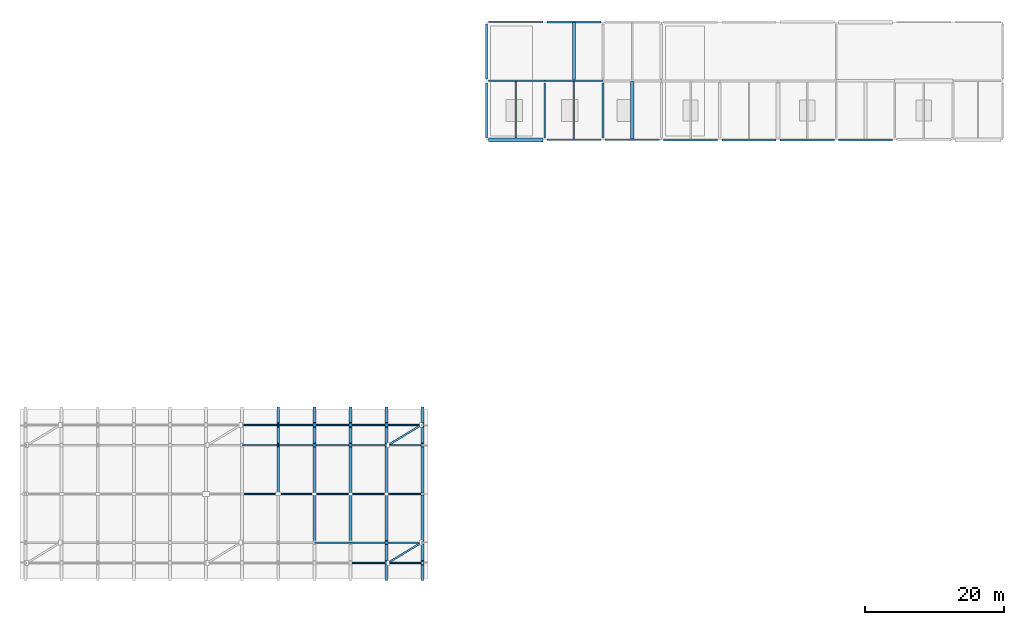
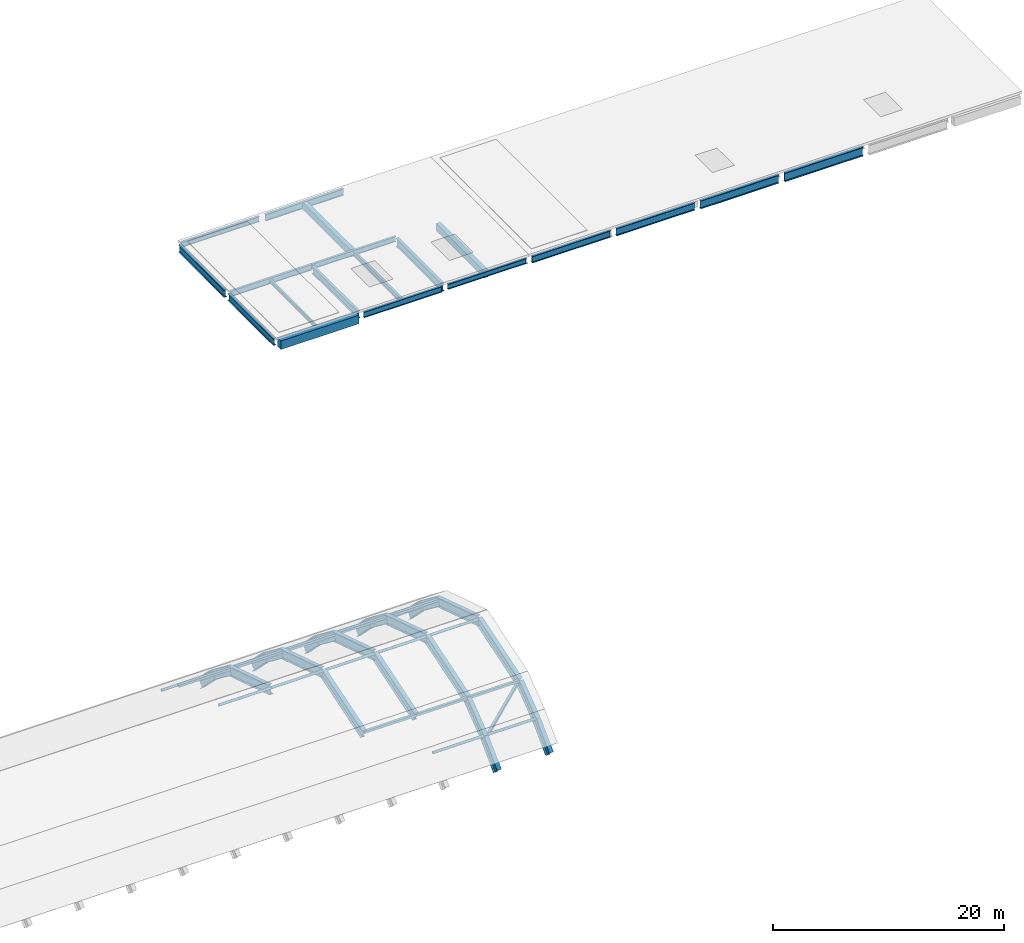
# One storey, part 2 of 6: 42 beams, 22 members.
"""IFC4 building model written with IfcOpenShell, lengths in metres."""

from ifc_helpers import new_model, si_unit, direction, frame, origin, origin_2d, place, context, subcontext, project, spatial, rectangle, hollow_rectangle, hollow_circle, i_section, extrude, material, material_profile, profile_set, type_object, element, save


model = new_model("IFC4")

# Units and contexts
model_context = context("Model", 3, precision=1e-05, world=origin(), true_north=direction((0.0, 1.0)))
body_context = subcontext(model_context, "Body", "Model", "MODEL_VIEW")
ifc_project = project(units=[si_unit("LENGTHUNIT", "METRE"), si_unit("AREAUNIT", "SQUARE_METRE"), si_unit("VOLUMEUNIT", "CUBIC_METRE"), si_unit("PLANEANGLEUNIT", "RADIAN"), si_unit("MASSUNIT", "GRAM", prefix="KILO")], contexts=[model_context])

# Site, building, storey
site_placement = place(None, origin())
site = spatial("IfcSite", under=ifc_project, at=site_placement, CompositionType="ELEMENT")
building_placement = place(site_placement, origin())
building = spatial("IfcBuilding", under=site, at=building_placement, Name="Solvento Point Concert Hall", CompositionType="ELEMENT")
storey_placement = place(building_placement, frame((0.0, 0.0, 27.89990234375)))
storey = spatial("IfcBuildingStorey", under=building, at=storey_placement, Name="RF", CompositionType="ELEMENT", Elevation=27.89990234375)

# Beams
ifc_material_1 = material(Name="Structural Steel ASTM A992 Grade 50", Category="steel")
ifc_material_profile_1 = material_profile(ifc_material_1, i_section(OverallWidth=0.423095703125, OverallDepth=0.947998046875, WebThickness=0.02392578125, FlangeThickness=0.042724609375, at=origin_2d()), Name="W36X302")
ifc_profile_set_1 = profile_set([ifc_material_profile_1], Name="Structural Steel ASTM A992 Grade 50")
beam_type_1 = type_object("IfcBeamType", Name="ArchRib_W36X302", PredefinedType="BEAM", material=ifc_profile_set_1)
beam_1_placement = place(storey_placement, frame((111.60009765625, 68.0, 4.35009765625), z_axis=(0.0, 0.952959714751, -0.303096984582), x_axis=(-1.0, 0.0, 0.0)))
element("IfcBeam", 1, at=beam_1_placement, inside=storey, type_object=beam_type_1, Name="Steel arch rib AR-01 bay 8 seg 7", PredefinedType="BEAM", context=body_context, shape_type="SweptSolid", body=[
    extrude(i_section(OverallWidth=0.423095703125, OverallDepth=0.947998046875, WebThickness=0.02392578125, FlangeThickness=0.042724609375, at=origin_2d()), origin(), (0.0, 0.0, 1.0), 7.36865234375),
])
beam_2_placement = place(storey_placement, frame((111.60009765625, 75.02197265625, 2.11669921875), z_axis=(0.0, 0.793133559285, -0.609047746188), x_axis=(-1.0, 0.0, 0.0)))
element("IfcBeam", 2, at=beam_2_placement, inside=storey, type_object=beam_type_1, Name="Steel arch rib AR-01 bay 8 seg 8", PredefinedType="BEAM", context=body_context, shape_type="SweptSolid", body=[
    extrude(i_section(OverallWidth=0.423095703125, OverallDepth=0.947998046875, WebThickness=0.02392578125, FlangeThickness=0.042724609375, at=origin_2d()), origin(), (0.0, 0.0, 1.0), 3.6669921875),
])
beam_3_placement = place(storey_placement, frame((111.60009765625, 77.930419921875, -0.11669921875), z_axis=(0.0, 0.706874752729, -0.707338733532), x_axis=(-1.0, 0.0, 0.0)))
element("IfcBeam", 3, at=beam_3_placement, inside=storey, type_object=beam_type_1, Name="Steel arch rib AR-01 bay 8 seg 9", PredefinedType="BEAM", context=body_context, shape_type="SweptSolid", body=[
    extrude(i_section(OverallWidth=0.423095703125, OverallDepth=0.947998046875, WebThickness=0.02392578125, FlangeThickness=0.042724609375, at=origin_2d()), origin(), (0.0, 0.0, 1.0), 3.1572265625),
])
for number, where, z_axis, x_axis, name in (
    (4, (116.800048828125, 60.97802734375, 2.11669921875), (0.0, 0.952959714751, 0.303096984582), (-1.0, 0.0, 0.0), "Steel arch rib AR-01 bay 9 seg 6"),
    (5, (116.800048828125, 68.0, 4.35009765625), (0.0, 0.952959714751, -0.303096984582), (-1.0, 0.0, 0.0), "Steel arch rib AR-01 bay 9 seg 7"),
):
    element("IfcBeam", number, at=place(storey_placement, frame(where, z_axis=z_axis, x_axis=x_axis)), inside=storey, type_object=beam_type_1, Name=name, PredefinedType="BEAM", context=body_context, shape_type="SweptSolid", body=[
        extrude(i_section(OverallWidth=0.423095703125, OverallDepth=0.947998046875, WebThickness=0.02392578125, FlangeThickness=0.042724609375, at=origin_2d()), origin(), (0.0, 0.0, 1.0), 7.36865234375),
    ])
beam_4_placement = place(storey_placement, frame((116.800048828125, 75.02197265625, 2.11669921875), z_axis=(0.0, 0.793133559285, -0.609047746188), x_axis=(-1.0, 0.0, 0.0)))
element("IfcBeam", 6, at=beam_4_placement, inside=storey, type_object=beam_type_1, Name="Steel arch rib AR-01 bay 9 seg 8", PredefinedType="BEAM", context=body_context, shape_type="SweptSolid", body=[
    extrude(i_section(OverallWidth=0.423095703125, OverallDepth=0.947998046875, WebThickness=0.02392578125, FlangeThickness=0.042724609375, at=origin_2d()), origin(), (0.0, 0.0, 1.0), 3.6669921875),
])
beam_5_placement = place(storey_placement, frame((116.800048828125, 77.930419921875, -0.11669921875), z_axis=(0.0, 0.706874752729, -0.707338733532), x_axis=(-1.0, 0.0, 0.0)))
element("IfcBeam", 7, at=beam_5_placement, inside=storey, type_object=beam_type_1, Name="Steel arch rib AR-01 bay 9 seg 9", PredefinedType="BEAM", context=body_context, shape_type="SweptSolid", body=[
    extrude(i_section(OverallWidth=0.423095703125, OverallDepth=0.947998046875, WebThickness=0.02392578125, FlangeThickness=0.042724609375, at=origin_2d()), origin(), (0.0, 0.0, 1.0), 3.1572265625),
])
for number, where, z_axis, x_axis, name in (
    (8, (122.0, 60.97802734375, 2.11669921875), (0.0, 0.952959714751, 0.303096984582), (-1.0, 0.0, 0.0), "Steel arch rib AR-01 bay 10 seg 6"),
    (9, (122.0, 68.0, 4.35009765625), (0.0, 0.952959714751, -0.303096984582), (-1.0, 0.0, 0.0), "Steel arch rib AR-01 bay 10 seg 7"),
):
    element("IfcBeam", number, at=place(storey_placement, frame(where, z_axis=z_axis, x_axis=x_axis)), inside=storey, type_object=beam_type_1, Name=name, PredefinedType="BEAM", context=body_context, shape_type="SweptSolid", body=[
        extrude(i_section(OverallWidth=0.423095703125, OverallDepth=0.947998046875, WebThickness=0.02392578125, FlangeThickness=0.042724609375, at=origin_2d()), origin(), (0.0, 0.0, 1.0), 7.36865234375),
    ])
beam_6_placement = place(storey_placement, frame((122.0, 75.02197265625, 2.11669921875), z_axis=(0.0, 0.793133559285, -0.609047746188), x_axis=(-1.0, 0.0, 0.0)))
element("IfcBeam", 10, at=beam_6_placement, inside=storey, type_object=beam_type_1, Name="Steel arch rib AR-01 bay 10 seg 8", PredefinedType="BEAM", context=body_context, shape_type="SweptSolid", body=[
    extrude(i_section(OverallWidth=0.423095703125, OverallDepth=0.947998046875, WebThickness=0.02392578125, FlangeThickness=0.042724609375, at=origin_2d()), origin(), (0.0, 0.0, 1.0), 3.6669921875),
])
for number, where, z_axis, x_axis, name in (
    (11, (122.0, 77.930419921875, -0.11669921875), (0.0, 0.706874752729, -0.707338733532), (-1.0, 0.0, 0.0), "Steel arch rib AR-01 bay 10 seg 9"),
    (12, (127.199951171875, 55.837890625, -2.349853515625), (0.0, 0.706874752729, 0.707338733532), (-1.0, 0.0, 0.0), "Steel arch rib AR-01 bay 11 seg 4"),
):
    element("IfcBeam", number, at=place(storey_placement, frame(where, z_axis=z_axis, x_axis=x_axis)), inside=storey, type_object=beam_type_1, Name=name, PredefinedType="BEAM", context=body_context, shape_type="SweptSolid", body=[
        extrude(i_section(OverallWidth=0.423095703125, OverallDepth=0.947998046875, WebThickness=0.02392578125, FlangeThickness=0.042724609375, at=origin_2d()), origin(), (0.0, 0.0, 1.0), 3.1572265625),
    ])
beam_7_placement = place(storey_placement, frame((127.199951171875, 58.069580078125, -0.11669921875), z_axis=(0.0, 0.793133559285, 0.609047746188), x_axis=(-1.0, 0.0, 0.0)))
element("IfcBeam", 13, at=beam_7_placement, inside=storey, type_object=beam_type_1, Name="Steel arch rib AR-01 bay 11 seg 5", PredefinedType="BEAM", context=body_context, shape_type="SweptSolid", body=[
    extrude(i_section(OverallWidth=0.423095703125, OverallDepth=0.947998046875, WebThickness=0.02392578125, FlangeThickness=0.042724609375, at=origin_2d()), origin(), (0.0, 0.0, 1.0), 3.6669921875),
])
for number, where, z_axis, x_axis, name in (
    (14, (127.199951171875, 60.97802734375, 2.11669921875), (0.0, 0.952959714751, 0.303096984582), (-1.0, 0.0, 0.0), "Steel arch rib AR-01 bay 11 seg 6"),
    (15, (127.199951171875, 68.0, 4.35009765625), (0.0, 0.952959714751, -0.303096984582), (-1.0, 0.0, 0.0), "Steel arch rib AR-01 bay 11 seg 7"),
):
    element("IfcBeam", number, at=place(storey_placement, frame(where, z_axis=z_axis, x_axis=x_axis)), inside=storey, type_object=beam_type_1, Name=name, PredefinedType="BEAM", context=body_context, shape_type="SweptSolid", body=[
        extrude(i_section(OverallWidth=0.423095703125, OverallDepth=0.947998046875, WebThickness=0.02392578125, FlangeThickness=0.042724609375, at=origin_2d()), origin(), (0.0, 0.0, 1.0), 7.36865234375),
    ])
beam_8_placement = place(storey_placement, frame((127.199951171875, 75.02197265625, 2.11669921875), z_axis=(0.0, 0.793133559285, -0.609047746188), x_axis=(-1.0, 0.0, 0.0)))
element("IfcBeam", 16, at=beam_8_placement, inside=storey, type_object=beam_type_1, Name="Steel arch rib AR-01 bay 11 seg 8", PredefinedType="BEAM", context=body_context, shape_type="SweptSolid", body=[
    extrude(i_section(OverallWidth=0.423095703125, OverallDepth=0.947998046875, WebThickness=0.02392578125, FlangeThickness=0.042724609375, at=origin_2d()), origin(), (0.0, 0.0, 1.0), 3.6669921875),
])
for number, where, z_axis, x_axis, name in (
    (17, (127.199951171875, 77.930419921875, -0.11669921875), (0.0, 0.706874752729, -0.707338733532), (-1.0, 0.0, 0.0), "Steel arch rib AR-01 bay 11 seg 9"),
    (18, (132.39990234375, 55.837890625, -2.349853515625), (0.0, 0.706874752729, 0.707338733532), (-1.0, 0.0, 0.0), "Steel arch rib AR-01 bay 12 seg 4"),
):
    element("IfcBeam", number, at=place(storey_placement, frame(where, z_axis=z_axis, x_axis=x_axis)), inside=storey, type_object=beam_type_1, Name=name, PredefinedType="BEAM", context=body_context, shape_type="SweptSolid", body=[
        extrude(i_section(OverallWidth=0.423095703125, OverallDepth=0.947998046875, WebThickness=0.02392578125, FlangeThickness=0.042724609375, at=origin_2d()), origin(), (0.0, 0.0, 1.0), 3.1572265625),
    ])
beam_9_placement = place(storey_placement, frame((132.39990234375, 58.069580078125, -0.11669921875), z_axis=(0.0, 0.793133559285, 0.609047746188), x_axis=(-1.0, 0.0, 0.0)))
element("IfcBeam", 19, at=beam_9_placement, inside=storey, type_object=beam_type_1, Name="Steel arch rib AR-01 bay 12 seg 5", PredefinedType="BEAM", context=body_context, shape_type="SweptSolid", body=[
    extrude(i_section(OverallWidth=0.423095703125, OverallDepth=0.947998046875, WebThickness=0.02392578125, FlangeThickness=0.042724609375, at=origin_2d()), origin(), (0.0, 0.0, 1.0), 3.6669921875),
])
for number, where, z_axis, x_axis, name in (
    (20, (132.39990234375, 60.97802734375, 2.11669921875), (0.0, 0.952959714751, 0.303096984582), (-1.0, 0.0, 0.0), "Steel arch rib AR-01 bay 12 seg 6"),
    (21, (132.39990234375, 68.0, 4.35009765625), (0.0, 0.952959714751, -0.303096984582), (-1.0, 0.0, 0.0), "Steel arch rib AR-01 bay 12 seg 7"),
):
    element("IfcBeam", number, at=place(storey_placement, frame(where, z_axis=z_axis, x_axis=x_axis)), inside=storey, type_object=beam_type_1, Name=name, PredefinedType="BEAM", context=body_context, shape_type="SweptSolid", body=[
        extrude(i_section(OverallWidth=0.423095703125, OverallDepth=0.947998046875, WebThickness=0.02392578125, FlangeThickness=0.042724609375, at=origin_2d()), origin(), (0.0, 0.0, 1.0), 7.36865234375),
    ])
beam_10_placement = place(storey_placement, frame((132.39990234375, 75.02197265625, 2.11669921875), z_axis=(0.0, 0.793133559285, -0.609047746188), x_axis=(-1.0, 0.0, 0.0)))
element("IfcBeam", 22, at=beam_10_placement, inside=storey, type_object=beam_type_1, Name="Steel arch rib AR-01 bay 12 seg 8", PredefinedType="BEAM", context=body_context, shape_type="SweptSolid", body=[
    extrude(i_section(OverallWidth=0.423095703125, OverallDepth=0.947998046875, WebThickness=0.02392578125, FlangeThickness=0.042724609375, at=origin_2d()), origin(), (0.0, 0.0, 1.0), 3.6669921875),
])
beam_11_placement = place(storey_placement, frame((132.39990234375, 77.930419921875, -0.11669921875), z_axis=(0.0, 0.706874752729, -0.707338733532), x_axis=(-1.0, 0.0, 0.0)))
element("IfcBeam", 23, at=beam_11_placement, inside=storey, type_object=beam_type_1, Name="Steel arch rib AR-01 bay 12 seg 9", PredefinedType="BEAM", context=body_context, shape_type="SweptSolid", body=[
    extrude(i_section(OverallWidth=0.423095703125, OverallDepth=0.947998046875, WebThickness=0.02392578125, FlangeThickness=0.042724609375, at=origin_2d()), origin(), (0.0, 0.0, 1.0), 3.1572265625),
])
ifc_material_2 = material(Name="Concrete C35/45", Category="concrete")
ifc_material_profile_2 = material_profile(ifc_material_2, rectangle(XDim=0.449951171875, YDim=0.75, at=origin_2d()), Name="RC-BM-450X750")
ifc_profile_set_2 = profile_set([ifc_material_profile_2], Name="Concrete C35/45")
beam_type_2 = type_object("IfcBeamType", Name="Beam_RC_450x750", PredefinedType="BEAM", material=ifc_profile_set_2)
for number, where, z_axis, x_axis, name in (
    (24, (154.199951171875, 127.592041015625, -0.638916015625), (0.0, 1.0, 0.0), (-1.0, 0.0, 0.0), "Secondary floor joist B-28 RF"),
    (25, (162.60009765625, 119.092041015625, -0.638916015625), (0.0, 1.0, 0.0), (-1.0, 0.0, 0.0), "Secondary floor joist B-28 RF"),
):
    element("IfcBeam", number, at=place(storey_placement, frame(where, z_axis=z_axis, x_axis=x_axis)), inside=storey, type_object=beam_type_2, Name=name, PredefinedType="BEAM", context=body_context, shape_type="SweptSolid", body=[
        extrude(rectangle(XDim=0.449951171875, YDim=0.75, at=origin_2d()), origin(), (0.0, 0.0, 1.0), 8.294921875),
    ])
ifc_material_3 = material(Name="Structural Steel ASTM A992 Grade 50", Category="steel")
ifc_material_profile_3 = material_profile(ifc_material_3, i_section(OverallWidth=0.20947265625, OverallDepth=0.532958984375, WebThickness=0.01025390625, FlangeThickness=0.015625, at=origin_2d()), Name="W21X62")
ifc_profile_set_3 = profile_set([ifc_material_profile_3], Name="Structural Steel ASTM A992 Grade 50")
beam_type_3 = type_object("IfcBeamType", Name="Beam_W21X62", PredefinedType="BEAM", material=ifc_profile_set_3)
beam_12_placement = place(storey_placement, frame((154.199951171875, 119.09912109375, -0.530517578125), z_axis=(0.0, 1.0, 0.0), x_axis=(-1.0, 0.0, 0.0)))
element("IfcBeam", 26, at=beam_12_placement, inside=storey, type_object=beam_type_3, Name="Secondary floor joist B-25 RF", PredefinedType="BEAM", context=body_context, shape_type="SweptSolid", body=[
    extrude(i_section(OverallWidth=0.20947265625, OverallDepth=0.532958984375, WebThickness=0.01025390625, FlangeThickness=0.015625, at=origin_2d()), origin(), (0.0, 0.0, 1.0), 8.308837890625),
])
ifc_material_4 = material(Name="Structural Steel ASTM A992 Grade 50", Category="steel")
ifc_material_profile_4 = material_profile(ifc_material_4, i_section(OverallWidth=0.214111328125, OverallDepth=0.549072265625, WebThickness=0.0146484375, FlangeThickness=0.023681640625, at=origin_2d()), Name="W21X93")
ifc_profile_set_4 = profile_set([ifc_material_profile_4], Name="Structural Steel ASTM A992 Grade 50")
beam_type_4 = type_object("IfcBeamType", Name="Beam_W21X93", PredefinedType="BEAM", material=ifc_profile_set_4)
beam_13_placement = place(storey_placement, frame((158.694091796875, 119.0, -0.538330078125), z_axis=(1.0, 0.0, 0.0), x_axis=(0.0, 1.0, 0.0)))
element("IfcBeam", 27, at=beam_13_placement, inside=storey, type_object=beam_type_4, Name="Primary girder B-48 RF", PredefinedType="BEAM", context=body_context, shape_type="SweptSolid", body=[
    extrude(i_section(OverallWidth=0.214111328125, OverallDepth=0.549072265625, WebThickness=0.0146484375, FlangeThickness=0.023681640625, at=origin_2d()), origin(), (0.0, 0.0, 1.0), 7.81201171875),
])
beam_14_placement = place(storey_placement, frame((150.0, 127.5, -0.538330078125), z_axis=(1.0, 0.0, 0.0), x_axis=(0.0, 1.0, 0.0)))
element("IfcBeam", 28, at=beam_14_placement, inside=storey, type_object=beam_type_4, Name="Primary girder B-48 RF", PredefinedType="BEAM", context=body_context, shape_type="SweptSolid", body=[
    extrude(i_section(OverallWidth=0.214111328125, OverallDepth=0.549072265625, WebThickness=0.0146484375, FlangeThickness=0.023681640625, at=origin_2d()), origin(), (0.0, 0.0, 1.0), 8.39990234375),
])
beam_15_placement = place(storey_placement, frame((141.89404296875, 136.0, -0.538330078125), z_axis=(1.0, 0.0, 0.0), x_axis=(0.0, 1.0, 0.0)))
element("IfcBeam", 29, at=beam_15_placement, inside=storey, type_object=beam_type_4, Name="Primary girder B-48 RF", PredefinedType="BEAM", context=body_context, shape_type="SweptSolid", body=[
    extrude(i_section(OverallWidth=0.214111328125, OverallDepth=0.549072265625, WebThickness=0.0146484375, FlangeThickness=0.023681640625, at=origin_2d()), origin(), (0.0, 0.0, 1.0), 7.81201171875),
])
ifc_material_5 = material(Name="Structural Steel ASTM A992 Grade 50", Category="steel")
ifc_material_profile_5 = material_profile(ifc_material_5, i_section(OverallWidth=0.228515625, OverallDepth=0.60791015625, WebThickness=0.01123046875, FlangeThickness=0.017333984375, at=origin_2d()), Name="W24X76")
ifc_profile_set_5 = profile_set([ifc_material_profile_5], Name="Structural Steel ASTM A992 Grade 50")
beam_type_5 = type_object("IfcBeamType", Name="Beam_W24X76", PredefinedType="BEAM", material=ifc_profile_set_5)
beam_16_placement = place(storey_placement, frame((150.2939453125, 119.0, -0.56787109375), z_axis=(1.0, 0.0, 0.0), x_axis=(0.0, 1.0, 0.0)))
element("IfcBeam", 30, at=beam_16_placement, inside=storey, type_object=beam_type_5, Name="Primary girder B-42 RF", PredefinedType="BEAM", context=body_context, shape_type="SweptSolid", body=[
    extrude(i_section(OverallWidth=0.228515625, OverallDepth=0.60791015625, WebThickness=0.01123046875, FlangeThickness=0.017333984375, at=origin_2d()), origin(), (0.0, 0.0, 1.0), 7.81201171875),
])
beam_17_placement = place(storey_placement, frame((141.89404296875, 127.5, -0.56787109375), z_axis=(1.0, 0.0, 0.0), x_axis=(0.0, 1.0, 0.0)))
element("IfcBeam", 31, at=beam_17_placement, inside=storey, type_object=beam_type_5, Name="Primary girder B-42 RF", PredefinedType="BEAM", context=body_context, shape_type="SweptSolid", body=[
    extrude(i_section(OverallWidth=0.228515625, OverallDepth=0.60791015625, WebThickness=0.01123046875, FlangeThickness=0.017333984375, at=origin_2d()), origin(), (0.0, 0.0, 1.0), 8.10595703125),
])
ifc_material_6 = material(Name="Concrete C35/45", Category="concrete")
ifc_material_profile_6 = material_profile(ifc_material_6, rectangle(XDim=0.550048828125, YDim=0.89990234375, at=origin_2d()), Name="RC-BM-550X900")
ifc_profile_set_6 = profile_set([ifc_material_profile_6], Name="Concrete C35/45")
beam_type_6 = type_object("IfcBeamType", Name="Girder_RC_550x900", PredefinedType="USERDEFINED", material=ifc_profile_set_6)
beam_18_placement = place(storey_placement, frame((141.89404296875, 119.0, -0.7138671875), z_axis=(1.0, 0.0, 0.0), x_axis=(0.0, 1.0, 0.0)))
element("IfcBeam", 32, at=beam_18_placement, inside=storey, type_object=beam_type_6, Name="Primary girder B-39 RF", ObjectType="GIRDER", PredefinedType="USERDEFINED", context=body_context, shape_type="SweptSolid", body=[
    extrude(rectangle(XDim=0.550048828125, YDim=0.89990234375, at=origin_2d()), origin(), (0.0, 0.0, 1.0), 7.81201171875),
])
ifc_material_7 = material(Name="Structural Steel ASTM A992 Grade 50", Category="steel")
ifc_material_profile_7 = material_profile(ifc_material_7, i_section(OverallWidth=0.256103515625, OverallDepth=0.693115234375, WebThickness=0.014404296875, FlangeThickness=0.023681640625, at=origin_2d()), Name="W27X114")
ifc_profile_set_7 = profile_set([ifc_material_profile_7], Name="Structural Steel ASTM A992 Grade 50")
beam_type_7 = type_object("IfcBeamType", Name="Girder_W27X114", PredefinedType="USERDEFINED", material=ifc_profile_set_7)
for number, where, z_axis, x_axis, name in (
    (33, (167.093994140625, 119.0, -0.6103515625), (1.0, 0.0, 0.0), (0.0, 1.0, 0.0), "Primary girder B-23 RF"),
    (34, (150.2939453125, 136.0, -0.6103515625), (1.0, 0.0, 0.0), (0.0, 1.0, 0.0), "Primary girder B-23 RF"),
):
    element("IfcBeam", number, at=place(storey_placement, frame(where, z_axis=z_axis, x_axis=x_axis)), inside=storey, type_object=beam_type_7, Name=name, ObjectType="GIRDER", PredefinedType="USERDEFINED", context=body_context, shape_type="SweptSolid", body=[
        extrude(i_section(OverallWidth=0.256103515625, OverallDepth=0.693115234375, WebThickness=0.014404296875, FlangeThickness=0.023681640625, at=origin_2d()), origin(), (0.0, 0.0, 1.0), 7.81201171875),
    ])
beam_19_placement = place(storey_placement, frame((141.60009765625, 119.2939453125, -0.6103515625), z_axis=(0.0, 1.0, 0.0), x_axis=(-1.0, 0.0, 0.0)))
element("IfcBeam", 35, at=beam_19_placement, inside=storey, type_object=beam_type_7, Name="Primary girder B-23 RF", ObjectType="GIRDER", PredefinedType="USERDEFINED", context=body_context, shape_type="SweptSolid", body=[
    extrude(i_section(OverallWidth=0.256103515625, OverallDepth=0.693115234375, WebThickness=0.014404296875, FlangeThickness=0.023681640625, at=origin_2d()), origin(), (0.0, 0.0, 1.0), 7.912109375),
])
ifc_material_8 = material(Name="Structural Steel ASTM A992 Grade 50", Category="steel")
ifc_material_profile_8 = material_profile(ifc_material_8, i_section(OverallWidth=0.26806640625, OverallDepth=0.77001953125, WebThickness=0.015625, FlangeThickness=0.025390625, at=origin_2d()), Name="W30X132")
ifc_profile_set_8 = profile_set([ifc_material_profile_8], Name="Structural Steel ASTM A992 Grade 50")
beam_type_8 = type_object("IfcBeamType", Name="Girder_W30X132", PredefinedType="USERDEFINED", material=ifc_profile_set_8)
beam_20_placement = place(storey_placement, frame((175.493896484375, 119.0, -0.64892578125), z_axis=(1.0, 0.0, 0.0), x_axis=(0.0, 1.0, 0.0)))
element("IfcBeam", 36, at=beam_20_placement, inside=storey, type_object=beam_type_8, Name="Primary girder B-68 RF", ObjectType="GIRDER", PredefinedType="USERDEFINED", context=body_context, shape_type="SweptSolid", body=[
    extrude(i_section(OverallWidth=0.26806640625, OverallDepth=0.77001953125, WebThickness=0.015625, FlangeThickness=0.025390625, at=origin_2d()), origin(), (0.0, 0.0, 1.0), 7.81201171875),
])
beam_21_placement = place(storey_placement, frame((141.60009765625, 127.7939453125, -0.64892578125), z_axis=(0.0, 1.0, 0.0), x_axis=(-1.0, 0.0, 0.0)))
element("IfcBeam", 37, at=beam_21_placement, inside=storey, type_object=beam_type_8, Name="Primary girder B-68 RF", ObjectType="GIRDER", PredefinedType="USERDEFINED", context=body_context, shape_type="SweptSolid", body=[
    extrude(i_section(OverallWidth=0.26806640625, OverallDepth=0.77001953125, WebThickness=0.015625, FlangeThickness=0.025390625, at=origin_2d()), origin(), (0.0, 0.0, 1.0), 7.912109375),
])
beam_22_placement = place(storey_placement, frame((150.0, 119.2939453125, -0.64892578125), z_axis=(0.0, 1.0, 0.0), x_axis=(-1.0, 0.0, 0.0)))
element("IfcBeam", 38, at=beam_22_placement, inside=storey, type_object=beam_type_8, Name="Primary girder B-68 RF", ObjectType="GIRDER", PredefinedType="USERDEFINED", context=body_context, shape_type="SweptSolid", body=[
    extrude(i_section(OverallWidth=0.26806640625, OverallDepth=0.77001953125, WebThickness=0.015625, FlangeThickness=0.025390625, at=origin_2d()), origin(), (0.0, 0.0, 1.0), 7.906494140625),
])
ifc_material_9 = material(Name="Structural Steel ASTM A992 Grade 50", Category="steel")
ifc_material_profile_9 = material_profile(ifc_material_9, i_section(OverallWidth=0.2919921875, OverallDepth=0.85888671875, WebThickness=0.01708984375, FlangeThickness=0.031005859375, at=origin_2d()), Name="W33X169")
ifc_profile_set_9 = profile_set([ifc_material_profile_9], Name="Structural Steel ASTM A992 Grade 50")
beam_type_9 = type_object("IfcBeamType", Name="Girder_W33X169", PredefinedType="USERDEFINED", material=ifc_profile_set_9)
beam_23_placement = place(storey_placement, frame((183.89404296875, 119.0, -0.693359375), z_axis=(1.0, 0.0, 0.0), x_axis=(0.0, 1.0, 0.0)))
element("IfcBeam", 39, at=beam_23_placement, inside=storey, type_object=beam_type_9, Name="Primary girder B-33 RF", ObjectType="GIRDER", PredefinedType="USERDEFINED", context=body_context, shape_type="SweptSolid", body=[
    extrude(i_section(OverallWidth=0.2919921875, OverallDepth=0.85888671875, WebThickness=0.01708984375, FlangeThickness=0.031005859375, at=origin_2d()), origin(), (0.0, 0.0, 1.0), 7.81201171875),
])
beam_24_placement = place(storey_placement, frame((158.39990234375, 119.2939453125, -0.693359375), z_axis=(0.0, 1.0, 0.0), x_axis=(-1.0, 0.0, 0.0)))
element("IfcBeam", 40, at=beam_24_placement, inside=storey, type_object=beam_type_9, Name="Primary girder B-33 RF", ObjectType="GIRDER", PredefinedType="USERDEFINED", context=body_context, shape_type="SweptSolid", body=[
    extrude(i_section(OverallWidth=0.2919921875, OverallDepth=0.85888671875, WebThickness=0.01708984375, FlangeThickness=0.031005859375, at=origin_2d()), origin(), (0.0, 0.0, 1.0), 7.906494140625),
])
ifc_material_10 = material(Name="Structural Steel ASTM A992 Grade 50", Category="steel")
ifc_material_profile_10 = material_profile(ifc_material_10, i_section(OverallWidth=0.3076171875, OverallDepth=0.927001953125, WebThickness=0.019287109375, FlangeThickness=0.031982421875, at=origin_2d()), Name="W36X194")
ifc_profile_set_10 = profile_set([ifc_material_profile_10], Name="Structural Steel ASTM A992 Grade 50")
beam_type_10 = type_object("IfcBeamType", Name="Girder_W36X194", PredefinedType="USERDEFINED", material=ifc_profile_set_10)
beam_25_placement = place(storey_placement, frame((192.2939453125, 119.0, -0.727294921875), z_axis=(1.0, 0.0, 0.0), x_axis=(0.0, 1.0, 0.0)))
element("IfcBeam", 41, at=beam_25_placement, inside=storey, type_object=beam_type_10, Name="Primary girder B-61 RF", ObjectType="GIRDER", PredefinedType="USERDEFINED", context=body_context, shape_type="SweptSolid", body=[
    extrude(i_section(OverallWidth=0.3076171875, OverallDepth=0.927001953125, WebThickness=0.019287109375, FlangeThickness=0.031982421875, at=origin_2d()), origin(), (0.0, 0.0, 1.0), 7.81201171875),
])
ifc_material_11 = material(Name="Structural Steel ASTM A992 Grade 50", Category="steel")
ifc_material_profile_11 = material_profile(ifc_material_11, i_section(OverallWidth=0.177490234375, OverallDepth=0.403076171875, WebThickness=0.007568359375, FlangeThickness=0.010986328125, at=origin_2d()), Name="W16X36")
ifc_profile_set_11 = profile_set([ifc_material_profile_11], Name="Structural Steel ASTM A992 Grade 50")
beam_type_11 = type_object("IfcBeamType", Name="Joist_W16X36", PredefinedType="JOIST", material=ifc_profile_set_11)
beam_26_placement = place(storey_placement, frame((145.800048828125, 119.260009765625, -0.46533203125), z_axis=(0.0, 1.0, 0.0), x_axis=(-1.0, 0.0, 0.0)))
element("IfcBeam", 42, at=beam_26_placement, inside=storey, type_object=beam_type_11, Name="Secondary floor joist B-30 RF", PredefinedType="JOIST", context=body_context, shape_type="SweptSolid", body=[
    extrude(i_section(OverallWidth=0.177490234375, OverallDepth=0.403076171875, WebThickness=0.007568359375, FlangeThickness=0.010986328125, at=origin_2d()), origin(), (0.0, 0.0, 1.0), 8.140869140625),
])

# Members
ifc_material_12 = material(Name="Structural Steel ASTM A500 Grade C", Category="steel")
ifc_material_profile_12 = material_profile(ifc_material_12, hollow_rectangle(XDim=0.25390625, YDim=0.25390625, WallThickness=0.01171875, at=origin_2d()), Name="HSS10X10X1/2")
ifc_profile_set_12 = profile_set([ifc_material_profile_12], Name="Structural Steel ASTM A500 Grade C")
member_type_1 = type_object("IfcMemberType", Name="ShellBrace_HSS10", PredefinedType="BRACE", material=ifc_profile_set_12)
for number, where, z_axis, x_axis, name in (
    (43, (127.41162109375, 58.069580078125, -0.11669921875), (0.793223135873, 0.482963672577, 0.370868100121), (-0.520050809607, 0.854135326179, 0.0), "Acoustic shell lateral brace M"),
    (44, (127.41162109375, 75.02197265625, 2.11669921875), (0.793223135873, 0.482963672577, -0.370868100121), (-0.520050809607, 0.854135326179, 0.0), "Acoustic shell lateral brace M"),
):
    element("IfcMember", number, at=place(storey_placement, frame(where, z_axis=z_axis, x_axis=x_axis)), inside=storey, type_object=member_type_1, Name=name, PredefinedType="BRACE", context=body_context, shape_type="SweptSolid", body=[
        extrude(hollow_rectangle(XDim=0.25390625, YDim=0.25390625, WallThickness=0.01171875, at=origin_2d()), origin(), (0.0, 0.0, 1.0), 6.02197265625),
    ])
ifc_material_13 = material(Name="Structural Steel ASTM A500 Grade C", Category="steel")
ifc_material_profile_13 = material_profile(ifc_material_13, hollow_circle(Radius=0.136474609375, WallThickness=0.012451171875, at=origin_2d()), Name="CHS273X12.5")
ifc_profile_set_13 = profile_set([ifc_material_profile_13], Name="Structural Steel ASTM A500 Grade C")
member_type_2 = type_object("IfcMemberType", Name="ShellPurlin_CHS273", PredefinedType="PURLIN", material=ifc_profile_set_13)
for number, where, z_axis, x_axis, name in (
    (45, (106.4150390625, 68.0, 4.52001953125), (1.0, 0.0, 0.0), (0.0, 1.0, 0.0), "Acoustic shell steel purlin M-54"),
    (46, (106.4150390625, 77.930419921875, 0.053466796875), (1.0, 0.0, 0.0), (0.0, 1.0, 0.0), "Acoustic shell steel purlin M-54"),
    (47, (111.614990234375, 68.0, 4.52001953125), (1.0, 0.0, 0.0), (0.0, 1.0, 0.0), "Acoustic shell steel purlin M-54"),
    (48, (111.614990234375, 77.930419921875, 0.053466796875), (1.0, 0.0, 0.0), (0.0, 1.0, 0.0), "Acoustic shell steel purlin M-54"),
):
    element("IfcMember", number, at=place(storey_placement, frame(where, z_axis=z_axis, x_axis=x_axis)), inside=storey, type_object=member_type_2, Name=name, PredefinedType="PURLIN", context=body_context, shape_type="SweptSolid", body=[
        extrude(hollow_circle(Radius=0.136474609375, WallThickness=0.012451171875, at=origin_2d()), origin(), (0.0, 0.0, 1.0), 5.169921875),
    ])
for number, where, z_axis, x_axis, name in (
    (49, (116.81494140625, 68.0, 4.52001953125), (1.0, 0.0, 0.0), (0.0, 1.0, 0.0), "Acoustic shell steel purlin M-54"),
    (50, (116.81494140625, 77.930419921875, 0.053466796875), (1.0, 0.0, 0.0), (0.0, 1.0, 0.0), "Acoustic shell steel purlin M-54"),
    (51, (122.014892578125, 58.069580078125, 0.053466796875), (1.0, 0.0, 0.0), (0.0, 1.0, 0.0), "Acoustic shell steel purlin M-54"),
    (52, (122.014892578125, 68.0, 4.52001953125), (1.0, 0.0, 0.0), (0.0, 1.0, 0.0), "Acoustic shell steel purlin M-54"),
    (53, (122.014892578125, 77.930419921875, 0.053466796875), (1.0, 0.0, 0.0), (0.0, 1.0, 0.0), "Acoustic shell steel purlin M-54"),
):
    element("IfcMember", number, at=place(storey_placement, frame(where, z_axis=z_axis, x_axis=x_axis)), inside=storey, type_object=member_type_2, Name=name, PredefinedType="PURLIN", context=body_context, shape_type="SweptSolid", body=[
        extrude(hollow_circle(Radius=0.136474609375, WallThickness=0.012451171875, at=origin_2d()), origin(), (0.0, 0.0, 1.0), 5.170166015625),
    ])
for number, where, z_axis, x_axis, name in (
    (54, (127.215087890625, 58.069580078125, 0.053466796875), (1.0, 0.0, 0.0), (0.0, 1.0, 0.0), "Acoustic shell steel purlin M-54"),
    (55, (127.215087890625, 68.0, 4.52001953125), (1.0, 0.0, 0.0), (0.0, 1.0, 0.0), "Acoustic shell steel purlin M-54"),
    (56, (127.215087890625, 77.930419921875, 0.053466796875), (1.0, 0.0, 0.0), (0.0, 1.0, 0.0), "Acoustic shell steel purlin M-54"),
):
    element("IfcMember", number, at=place(storey_placement, frame(where, z_axis=z_axis, x_axis=x_axis)), inside=storey, type_object=member_type_2, Name=name, PredefinedType="PURLIN", context=body_context, shape_type="SweptSolid", body=[
        extrude(hollow_circle(Radius=0.136474609375, WallThickness=0.012451171875, at=origin_2d()), origin(), (0.0, 0.0, 1.0), 5.169921875),
    ])
ifc_material_14 = material(Name="Structural Steel ASTM A500 Grade C", Category="steel")
ifc_material_profile_14 = material_profile(ifc_material_14, hollow_rectangle(XDim=0.25390625, YDim=0.25390625, WallThickness=0.01171875, at=origin_2d()), Name="HSS10X10X1/2")
ifc_profile_set_14 = profile_set([ifc_material_profile_14], Name="Structural Steel ASTM A500 Grade C")
member_type_3 = type_object("IfcMemberType", Name="ShellPurlin_HSS10", PredefinedType="PURLIN", material=ifc_profile_set_14)
for number, where, z_axis, x_axis, name in (
    (57, (106.4150390625, 75.02197265625, 2.286865234375), (1.0, 0.0, 0.0), (0.0, 1.0, 0.0), "Acoustic shell steel purlin M-49"),
    (58, (111.614990234375, 75.02197265625, 2.286865234375), (1.0, 0.0, 0.0), (0.0, 1.0, 0.0), "Acoustic shell steel purlin M-49"),
):
    element("IfcMember", number, at=place(storey_placement, frame(where, z_axis=z_axis, x_axis=x_axis)), inside=storey, type_object=member_type_3, Name=name, PredefinedType="PURLIN", context=body_context, shape_type="SweptSolid", body=[
        extrude(hollow_rectangle(XDim=0.25390625, YDim=0.25390625, WallThickness=0.01171875, at=origin_2d()), origin(), (0.0, 0.0, 1.0), 5.169921875),
    ])
for number, where, z_axis, x_axis, name in (
    (59, (116.81494140625, 60.97802734375, 2.286865234375), (1.0, 0.0, 0.0), (0.0, 1.0, 0.0), "Acoustic shell steel purlin M-49"),
    (60, (116.81494140625, 75.02197265625, 2.286865234375), (1.0, 0.0, 0.0), (0.0, 1.0, 0.0), "Acoustic shell steel purlin M-49"),
    (61, (122.014892578125, 60.97802734375, 2.286865234375), (1.0, 0.0, 0.0), (0.0, 1.0, 0.0), "Acoustic shell steel purlin M-49"),
    (62, (122.014892578125, 75.02197265625, 2.286865234375), (1.0, 0.0, 0.0), (0.0, 1.0, 0.0), "Acoustic shell steel purlin M-49"),
):
    element("IfcMember", number, at=place(storey_placement, frame(where, z_axis=z_axis, x_axis=x_axis)), inside=storey, type_object=member_type_3, Name=name, PredefinedType="PURLIN", context=body_context, shape_type="SweptSolid", body=[
        extrude(hollow_rectangle(XDim=0.25390625, YDim=0.25390625, WallThickness=0.01171875, at=origin_2d()), origin(), (0.0, 0.0, 1.0), 5.170166015625),
    ])
for number, where, z_axis, x_axis, name in (
    (63, (127.215087890625, 60.97802734375, 2.286865234375), (1.0, 0.0, 0.0), (0.0, 1.0, 0.0), "Acoustic shell steel purlin M-49"),
    (64, (127.215087890625, 75.02197265625, 2.286865234375), (1.0, 0.0, 0.0), (0.0, 1.0, 0.0), "Acoustic shell steel purlin M-49"),
):
    element("IfcMember", number, at=place(storey_placement, frame(where, z_axis=z_axis, x_axis=x_axis)), inside=storey, type_object=member_type_3, Name=name, PredefinedType="PURLIN", context=body_context, shape_type="SweptSolid", body=[
        extrude(hollow_rectangle(XDim=0.25390625, YDim=0.25390625, WallThickness=0.01171875, at=origin_2d()), origin(), (0.0, 0.0, 1.0), 5.169921875),
    ])

save(model, "model.ifc")
